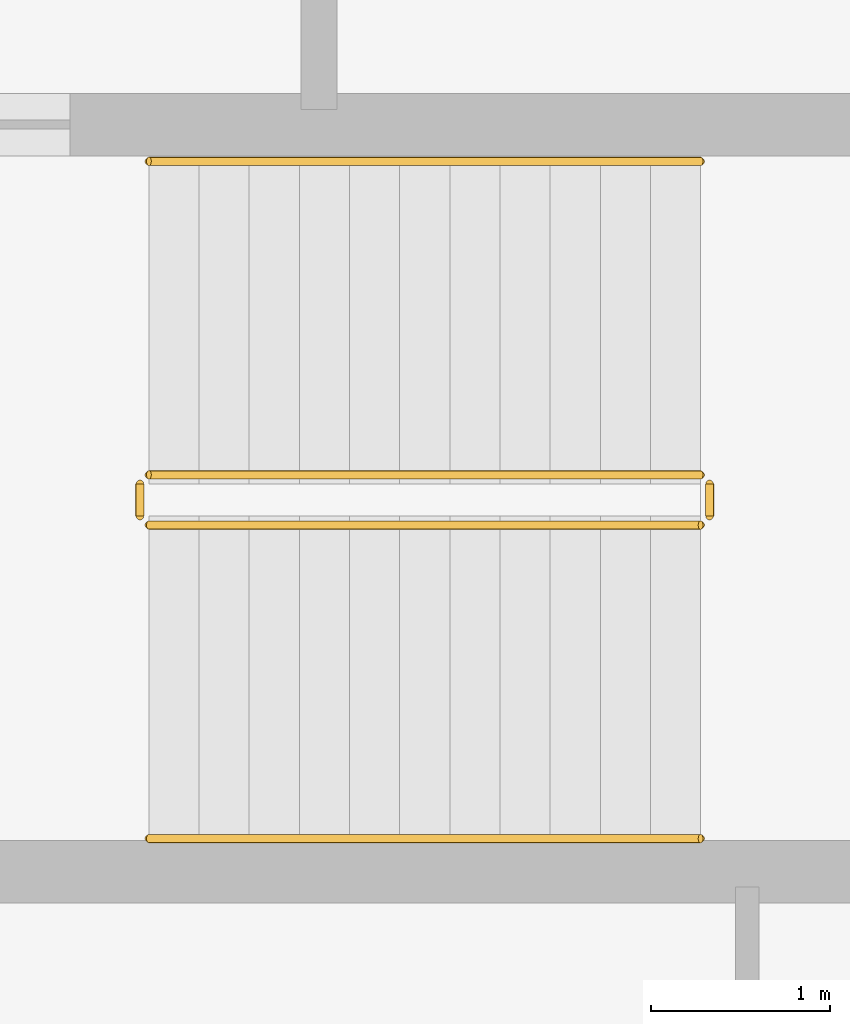
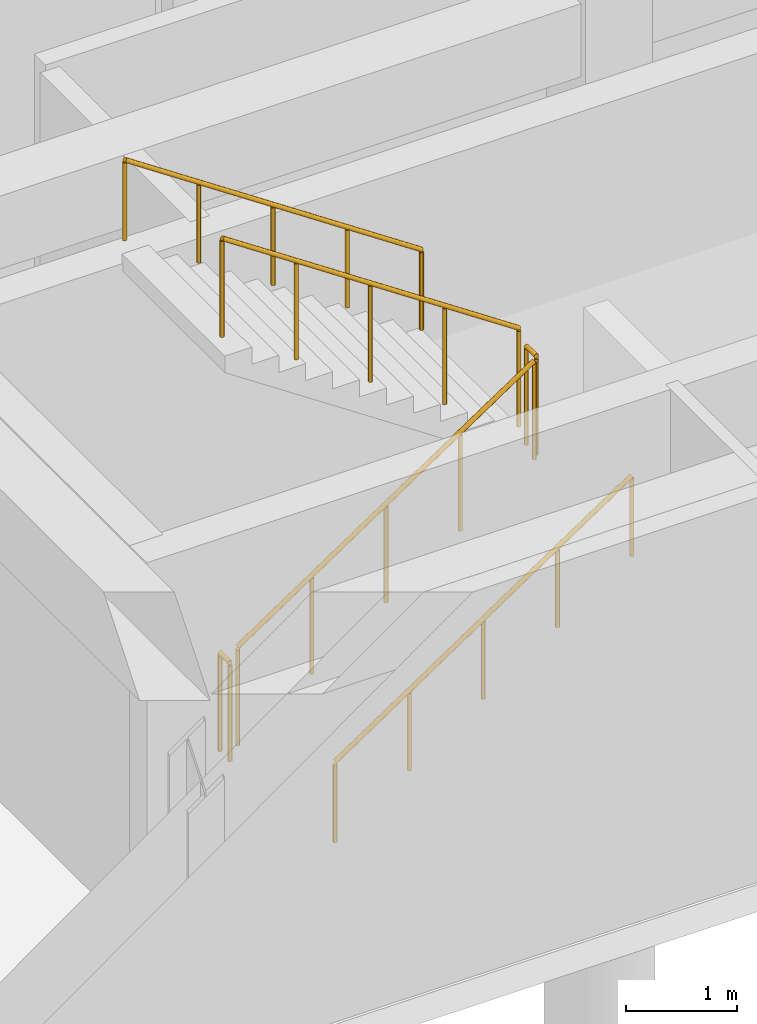
# One storey, part 38 of 42: 6 railings.
"""IFC4 building model written with IfcOpenShell, lengths in metres."""

from ifc_helpers import new_model, si_unit, direction, frame, origin, origin_2d, place, context, subcontext, project, spatial, circle, extrude, material, type_object, element, save


model = new_model("IFC4")

# Units and contexts
model_context = context("Model", 3, precision=1e-05, world=origin(), true_north=direction((0.0, 1.0)))
body_context = subcontext(model_context, "Body", "Model", "MODEL_VIEW")
ifc_project = project(units=[si_unit("LENGTHUNIT", "METRE"), si_unit("AREAUNIT", "SQUARE_METRE"), si_unit("VOLUMEUNIT", "CUBIC_METRE"), si_unit("PLANEANGLEUNIT", "RADIAN"), si_unit("MASSUNIT", "GRAM", prefix="KILO")], contexts=[model_context])

# Site, building, storey
site_placement = place(None, origin())
site = spatial("IfcSite", under=ifc_project, at=site_placement, CompositionType="ELEMENT")
building_placement = place(site_placement, origin())
building = spatial("IfcBuilding", under=site, at=building_placement, Name="Quendrovan Civic Courthouse", CompositionType="ELEMENT")
storey_placement = place(building_placement, frame((0.0, 0.0, -4.5)))
storey = spatial("IfcBuildingStorey", under=building, at=storey_placement, Name="B1", CompositionType="ELEMENT", Elevation=-4.5)

# Railings
ifc_material_1 = material(Name="Painted galvanized steel", Category="steel")
railing_type_1 = type_object("IfcRailingType", Name="RL-STR-GUARD1100", PredefinedType="GUARDRAIL", material=ifc_material_1)
railing_1_placement = place(storey_placement, frame((78.050048828125, 4.0, 0.1875)))
element("IfcRailing", 1, at=railing_1_placement, inside=storey, type_object=railing_type_1, Name="B1 ST7 stair guard 1", PredefinedType="GUARDRAIL", context=body_context, shape_type="SweptSolid", body=[
    extrude(circle(Radius=0.02392578125, at=origin_2d()), frame((0.0, 0.0, 1.076171875), z_axis=(0.830893310487, 0.0, 0.556431762742), x_axis=(0.0, 1.0, 0.0)), (0.0, 0.0, 1.0), 3.70654296875),
    extrude(circle(Radius=0.02099609375, at=origin_2d()), origin(), (0.0, 0.0, 1.0), 1.052001953125),
    extrude(circle(Radius=0.02099609375, at=origin_2d()), frame((0.77001953125, 0.0, 0.515625)), (0.0, 0.0, 1.0), 1.052001953125),
    extrude(circle(Radius=0.02099609375, at=origin_2d()), frame((1.5400390625, 0.0, 1.03125)), (0.0, 0.0, 1.0), 1.052001953125),
    extrude(circle(Radius=0.02099609375, at=origin_2d()), frame((2.309814453125, 0.0, 1.546875)), (0.0, 0.0, 1.0), 1.052001953125),
    extrude(circle(Radius=0.02099609375, at=origin_2d()), frame((3.079833984375, 0.0, 2.0625)), (0.0, 0.0, 1.0), 1.052001953125),
])
railing_2_placement = place(storey_placement, frame((81.179931640625, 4.050048828125, 2.25)))
element("IfcRailing", 2, at=railing_2_placement, inside=storey, type_object=railing_type_1, Name="B1 ST7 stair guard 2", PredefinedType="GUARDRAIL", context=body_context, shape_type="SweptSolid", body=[
    extrude(circle(Radius=0.02392578125, at=origin_2d()), frame((0.0, 0.0, 1.076171875), z_axis=(0.0, 1.0, 0.0), x_axis=(-1.0, 0.0, 0.0)), (0.0, 0.0, 1.0), 0.179931640625),
    extrude(circle(Radius=0.02099609375, at=origin_2d()), origin(), (0.0, 0.0, 1.0), 1.052001953125),
    extrude(circle(Radius=0.02099609375, at=origin_2d()), frame((0.0, 0.179931640625, 0.0)), (0.0, 0.0, 1.0), 1.052001953125),
])
railing_3_placement = place(storey_placement, frame((81.1298828125, 4.280029296875, 2.4375)))
element("IfcRailing", 3, at=railing_3_placement, inside=storey, type_object=railing_type_1, Name="B1 ST7 stair guard 3", PredefinedType="GUARDRAIL", context=body_context, shape_type="SweptSolid", body=[
    extrude(circle(Radius=0.02392578125, at=origin_2d()), frame((0.0, 0.0, 1.076171875), z_axis=(-0.830893310487, 0.0, 0.556431762742), x_axis=(0.0, -1.0, 0.0)), (0.0, 0.0, 1.0), 3.70654296875),
    extrude(circle(Radius=0.02099609375, at=origin_2d()), origin(), (0.0, 0.0, 1.0), 1.052001953125),
    extrude(circle(Radius=0.02099609375, at=origin_2d()), frame((-0.77001953125, 0.0, 0.515625)), (0.0, 0.0, 1.0), 1.052001953125),
    extrude(circle(Radius=0.02099609375, at=origin_2d()), frame((-1.5400390625, 0.0, 1.03125)), (0.0, 0.0, 1.0), 1.052001953125),
    extrude(circle(Radius=0.02099609375, at=origin_2d()), frame((-2.309814453125, 0.0, 1.546875)), (0.0, 0.0, 1.0), 1.052001953125),
    extrude(circle(Radius=0.02099609375, at=origin_2d()), frame((-3.079833984375, 0.0, 2.0625)), (0.0, 0.0, 1.0), 1.052001953125),
])
railing_4_placement = place(storey_placement, frame((78.0, 4.050048828125, 0.0)))
element("IfcRailing", 4, at=railing_4_placement, inside=storey, type_object=railing_type_1, Name="B1 ST7 stair guard 4", PredefinedType="GUARDRAIL", context=body_context, shape_type="SweptSolid", body=[
    extrude(circle(Radius=0.02392578125, at=origin_2d()), frame((0.0, 0.0, 1.076171875), z_axis=(0.0, 1.0, 0.0), x_axis=(-1.0, 0.0, 0.0)), (0.0, 0.0, 1.0), 0.179931640625),
    extrude(circle(Radius=0.02099609375, at=origin_2d()), origin(), (0.0, 0.0, 1.0), 1.052001953125),
    extrude(circle(Radius=0.02099609375, at=origin_2d()), frame((0.0, 0.179931640625, 0.0)), (0.0, 0.0, 1.0), 1.052001953125),
])
ifc_material_2 = material(Name="Bronze anodised aluminium", Category="aluminium")
railing_type_2 = type_object("IfcRailingType", Name="RL-STR-HAND900", PredefinedType="HANDRAIL", material=ifc_material_2)
railing_5_placement = place(storey_placement, frame((78.050048828125, 2.25, 0.1875)))
element("IfcRailing", 5, at=railing_5_placement, inside=storey, type_object=railing_type_2, Name="B1 ST7 stair handrail 1", PredefinedType="HANDRAIL", context=body_context, shape_type="SweptSolid", body=[
    extrude(circle(Radius=0.02392578125, at=origin_2d()), frame((0.0, 0.0, 0.8759765625), z_axis=(0.830893310487, 0.0, 0.556431762742), x_axis=(0.0, 1.0, 0.0)), (0.0, 0.0, 1.0), 3.70654296875),
    extrude(circle(Radius=0.02099609375, at=origin_2d()), origin(), (0.0, 0.0, 1.0), 0.851806640625),
    extrude(circle(Radius=0.02099609375, at=origin_2d()), frame((0.77001953125, 0.0, 0.515625)), (0.0, 0.0, 1.0), 0.851806640625),
    extrude(circle(Radius=0.02099609375, at=origin_2d()), frame((1.5400390625, 0.0, 1.03125)), (0.0, 0.0, 1.0), 0.851806640625),
    extrude(circle(Radius=0.02099609375, at=origin_2d()), frame((2.309814453125, 0.0, 1.546875)), (0.0, 0.0, 1.0), 0.851806640625),
    extrude(circle(Radius=0.02099609375, at=origin_2d()), frame((3.079833984375, 0.0, 2.0625)), (0.0, 0.0, 1.0), 0.851806640625),
])
railing_6_placement = place(storey_placement, frame((81.1298828125, 6.030029296875, 2.4375)))
element("IfcRailing", 6, at=railing_6_placement, inside=storey, type_object=railing_type_2, Name="B1 ST7 stair handrail 2", PredefinedType="HANDRAIL", context=body_context, shape_type="SweptSolid", body=[
    extrude(circle(Radius=0.02392578125, at=origin_2d()), frame((0.0, 0.0, 0.8759765625), z_axis=(-0.830893310487, 0.0, 0.556431762742), x_axis=(0.0, -1.0, 0.0)), (0.0, 0.0, 1.0), 3.70654296875),
    extrude(circle(Radius=0.02099609375, at=origin_2d()), origin(), (0.0, 0.0, 1.0), 0.851806640625),
    extrude(circle(Radius=0.02099609375, at=origin_2d()), frame((-0.77001953125, 0.0, 0.515625)), (0.0, 0.0, 1.0), 0.851806640625),
    extrude(circle(Radius=0.02099609375, at=origin_2d()), frame((-1.5400390625, 0.0, 1.03125)), (0.0, 0.0, 1.0), 0.851806640625),
    extrude(circle(Radius=0.02099609375, at=origin_2d()), frame((-2.309814453125, 0.0, 1.546875)), (0.0, 0.0, 1.0), 0.851806640625),
    extrude(circle(Radius=0.02099609375, at=origin_2d()), frame((-3.079833984375, 0.0, 2.0625)), (0.0, 0.0, 1.0), 0.851806640625),
])

save(model, "model.ifc")
